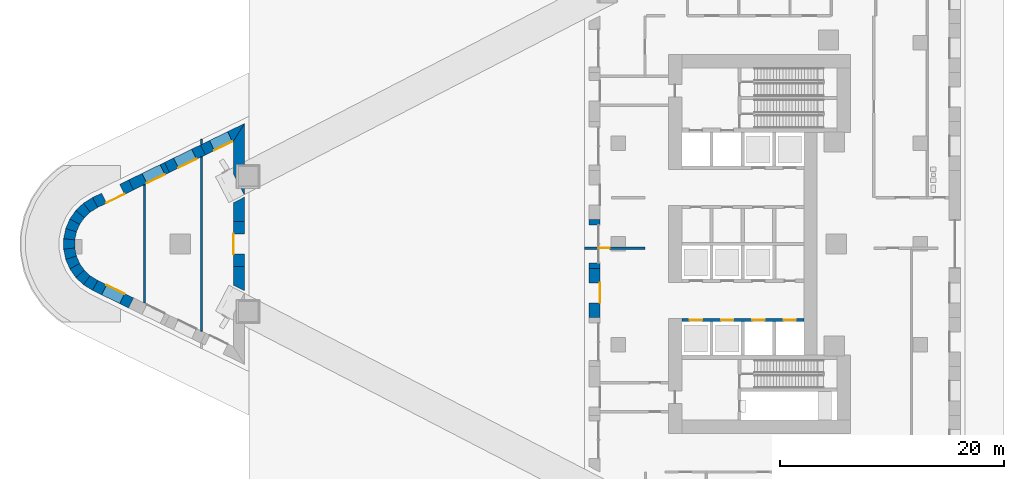
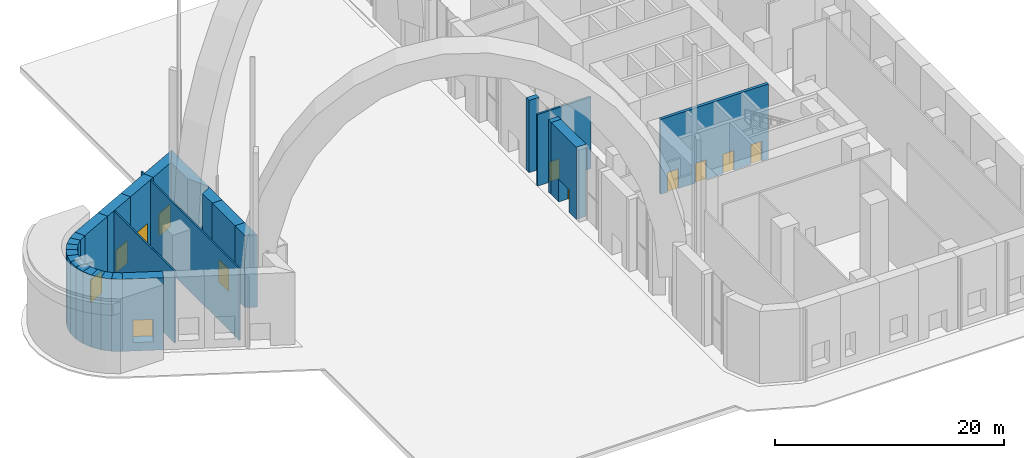
# One storey, part 10 of 22: 28 walls, 8 doors, 4 windows, 12 openings.
"""IFC4 building model written with IfcOpenShell, lengths in metres."""

from ifc_helpers import new_model, si_unit, direction, frame, frame_2d, origin, place, context, subcontext, project, spatial, polyline, rectangle, outline, extrude, material, layer, layer_set, type_object, element, fill, save


model = new_model("IFC4")

# Units and contexts
model_context = context("Model", 3, precision=1e-05, world=origin(), true_north=direction((0.0, 1.0)))
body_context = subcontext(model_context, "Body", "Model", "MODEL_VIEW")
ifc_project = project(units=[si_unit("LENGTHUNIT", "METRE"), si_unit("AREAUNIT", "SQUARE_METRE"), si_unit("VOLUMEUNIT", "CUBIC_METRE"), si_unit("PLANEANGLEUNIT", "RADIAN"), si_unit("MASSUNIT", "GRAM", prefix="KILO")], contexts=[model_context])

# Site, building, storey
site_placement = place(None, origin())
site = spatial("IfcSite", under=ifc_project, at=site_placement, CompositionType="ELEMENT")
building_placement = place(site_placement, origin())
building = spatial("IfcBuilding", under=site, at=building_placement, Name="Ostrand Prow Hotel Tower", CompositionType="ELEMENT")
storey_placement = place(building_placement, origin())
storey = spatial("IfcBuildingStorey", under=building, at=storey_placement, Name="L00", CompositionType="ELEMENT", Elevation=0.0)

# Wall, openings, doors
ifc_material_1 = material(Name="Concrete C80/95", Category="concrete")
ifc_layer_1 = layer(ifc_material_1, 0.300048828125)
ifc_layer_set_1 = layer_set([ifc_layer_1], Name="Concrete C80/95")
wall_type_1 = type_object("IfcWallType", Name="Core wall 300 C80/95", PredefinedType="SHEAR", material=ifc_layer_set_1)
wall_1_placement = place(storey_placement, frame((50.699951171875, -6.800048828125, 0.0), z_axis=(0.0, 0.0, 1.0), x_axis=(1.0, 0.0, 0.0)))
wall_1 = element("IfcWall", 1, at=wall_1_placement, inside=storey, type_object=wall_type_1, Name="Core wall PW-L2-S", PredefinedType="SHEAR", context=body_context, shape_type="SweptSolid", body=[
    extrude(rectangle(XDim=10.900146484375, YDim=0.300048828125, at=frame_2d((5.4501953125, 0.0))), origin(), (0.0, 0.0, 1.0), 8.0),
])
opening_1_placement = place(wall_1_placement, frame((0.699951171875, 0.0, 0.0)))
opening_1 = element("IfcOpeningElement", 2, at=opening_1_placement, cuts=wall_1, Name="Opening LD", PredefinedType="OPENING", context=body_context, shape_type="SweptSolid", body=[
    extrude(rectangle(XDim=1.10009765625, YDim=2.10009765625, at=frame_2d((0.550048828125, 1.050048828125))), frame((0.0, 0.159912109375, 0.0), z_axis=(0.0, -1.0, 0.0), x_axis=(1.0, 0.0, 0.0)), (0.0, 0.0, 1.0), 0.320068359375),
])
opening_2_placement = place(wall_1_placement, frame((3.5, 0.0, 0.0)))
opening_2 = element("IfcOpeningElement", 3, at=opening_2_placement, cuts=wall_1, Name="Opening LD", PredefinedType="OPENING", context=body_context, shape_type="SweptSolid", body=[
    extrude(rectangle(XDim=1.10009765625, YDim=2.10009765625, at=frame_2d((0.550048828125, 1.050048828125))), frame((0.0, 0.159912109375, 0.0), z_axis=(0.0, -1.0, 0.0), x_axis=(1.0, 0.0, 0.0)), (0.0, 0.0, 1.0), 0.320068359375),
])
opening_3_placement = place(wall_1_placement, frame((6.300048828125, 0.0, 0.0)))
opening_3 = element("IfcOpeningElement", 4, at=opening_3_placement, cuts=wall_1, Name="Opening LD", PredefinedType="OPENING", context=body_context, shape_type="SweptSolid", body=[
    extrude(rectangle(XDim=1.10009765625, YDim=2.10009765625, at=frame_2d((0.550048828125, 1.050048828125))), frame((0.0, 0.159912109375, 0.0), z_axis=(0.0, -1.0, 0.0), x_axis=(1.0, 0.0, 0.0)), (0.0, 0.0, 1.0), 0.320068359375),
])
opening_4_placement = place(wall_1_placement, frame((9.10009765625, 0.0, 0.0)))
opening_4 = element("IfcOpeningElement", 5, at=opening_4_placement, cuts=wall_1, Name="Opening LD", PredefinedType="OPENING", context=body_context, shape_type="SweptSolid", body=[
    extrude(rectangle(XDim=1.10009765625, YDim=2.10009765625, at=frame_2d((0.550048828125, 1.050048828125))), frame((0.0, 0.159912109375, 0.0), z_axis=(0.0, -1.0, 0.0), x_axis=(1.0, 0.0, 0.0)), (0.0, 0.0, 1.0), 0.320068359375),
])
ifc_material_2 = material(Name="Stainless steel door", Category="steel")
door_type_1 = type_object("IfcDoorType", Name="Lift landing door 1100", OperationType="DOUBLE_DOOR_SLIDING", PredefinedType="DOOR", material=ifc_material_2)
door_1_placement = place(opening_1_placement, origin())
door_1 = element("IfcDoor", 6, at=door_1_placement, inside=storey, type_object=door_type_1, Name="LIFT LANDING DOOR", OperationType="DOUBLE_DOOR_SLIDING", OverallHeight=2.10009765625, OverallWidth=1.10009765625, PredefinedType="DOOR", context=body_context, shape_type="SweptSolid", body=[
    extrude(rectangle(XDim=1.10009765625, YDim=2.10009765625, at=frame_2d((0.550048828125, 1.050048828125))), frame((0.0, 0.02490234375, 0.0), z_axis=(0.0, -1.0, 0.0), x_axis=(1.0, 0.0, 0.0)), (0.0, 0.0, 1.0), 0.050048828125),
])
fill(opening_1, door_1)
door_2_placement = place(opening_2_placement, origin())
door_2 = element("IfcDoor", 7, at=door_2_placement, inside=storey, type_object=door_type_1, Name="LIFT LANDING DOOR", OperationType="DOUBLE_DOOR_SLIDING", OverallHeight=2.10009765625, OverallWidth=1.10009765625, PredefinedType="DOOR", context=body_context, shape_type="SweptSolid", body=[
    extrude(rectangle(XDim=1.10009765625, YDim=2.10009765625, at=frame_2d((0.550048828125, 1.050048828125))), frame((0.0, 0.02490234375, 0.0), z_axis=(0.0, -1.0, 0.0), x_axis=(1.0, 0.0, 0.0)), (0.0, 0.0, 1.0), 0.050048828125),
])
fill(opening_2, door_2)
door_3_placement = place(opening_3_placement, origin())
door_3 = element("IfcDoor", 8, at=door_3_placement, inside=storey, type_object=door_type_1, Name="LIFT LANDING DOOR", OperationType="DOUBLE_DOOR_SLIDING", OverallHeight=2.10009765625, OverallWidth=1.10009765625, PredefinedType="DOOR", context=body_context, shape_type="SweptSolid", body=[
    extrude(rectangle(XDim=1.10009765625, YDim=2.10009765625, at=frame_2d((0.550048828125, 1.050048828125))), frame((0.0, 0.02490234375, 0.0), z_axis=(0.0, -1.0, 0.0), x_axis=(1.0, 0.0, 0.0)), (0.0, 0.0, 1.0), 0.050048828125),
])
fill(opening_3, door_3)
door_4_placement = place(opening_4_placement, origin())
door_4 = element("IfcDoor", 9, at=door_4_placement, inside=storey, type_object=door_type_1, Name="LIFT LANDING DOOR", OperationType="DOUBLE_DOOR_SLIDING", OverallHeight=2.10009765625, OverallWidth=1.10009765625, PredefinedType="DOOR", context=body_context, shape_type="SweptSolid", body=[
    extrude(rectangle(XDim=1.10009765625, YDim=2.10009765625, at=frame_2d((0.550048828125, 1.050048828125))), frame((0.0, 0.02490234375, 0.0), z_axis=(0.0, -1.0, 0.0), x_axis=(1.0, 0.0, 0.0)), (0.0, 0.0, 1.0), 0.050048828125),
])
fill(opening_4, door_4)

# Walls
ifc_material_3 = material(Name="Plasterboard partition")
ifc_layer_2 = layer(ifc_material_3, 0.14990234375)
ifc_layer_set_2 = layer_set([ifc_layer_2], Name="Plasterboard partition")
wall_type_2 = type_object("IfcWallType", Name="Partition 150 room partition", PredefinedType="PARTITIONING", material=ifc_layer_set_2)
wall_2_placement = place(storey_placement, frame((2.664306640625, -5.273681640625, 0.0), z_axis=(0.0, 0.0, 1.0), x_axis=(0.0, 1.0, 0.0)))
element("IfcWall", 10, at=wall_2_placement, inside=storey, type_object=wall_type_2, Name="ROOM PARTITION", PredefinedType="PARTITIONING", context=body_context, shape_type="SweptSolid", body=[
    extrude(rectangle(XDim=10.54736328125, YDim=0.14990234375, at=frame_2d((5.273681640625, 0.0))), origin(), (0.0, 0.0, 1.0), 7.64990234375),
])
wall_3_placement = place(storey_placement, frame((7.75634765625, -7.7861328125, 0.0), z_axis=(0.0, 0.0, 1.0), x_axis=(0.0, 1.0, 0.0)))
element("IfcWall", 11, at=wall_3_placement, inside=storey, type_object=wall_type_2, Name="ROOM PARTITION", PredefinedType="PARTITIONING", context=body_context, shape_type="SweptSolid", body=[
    extrude(rectangle(XDim=15.572265625, YDim=0.14990234375, at=frame_2d((7.7861328125, 0.0))), origin(), (0.0, 0.0, 1.0), 7.64990234375),
])
wall_4_placement = place(storey_placement, frame((7.75634765625, 8.898681640625, 0.0), z_axis=(0.0, 0.0, 1.0), x_axis=(0.0, 1.0, 0.0)))
element("IfcWall", 12, at=wall_4_placement, inside=storey, type_object=wall_type_2, Name="ROOM PARTITION", PredefinedType="PARTITIONING", context=body_context, shape_type="SweptSolid", body=[
    extrude(rectangle(XDim=0.445068359375, YDim=0.14990234375, at=frame_2d((0.22265625, 0.0))), origin(), (0.0, 0.0, 1.0), 7.64990234375),
])

# Wall, opening, door
ifc_material_4 = material(Name="Plasterboard partition")
ifc_layer_3 = layer(ifc_material_4, 0.199951171875)
ifc_layer_set_3 = layer_set([ifc_layer_3], Name="Plasterboard partition")
wall_type_3 = type_object("IfcWallType", Name="Partition 200 corridor wall", PredefinedType="PARTITIONING", material=ifc_layer_set_3)
wall_5_placement = place(storey_placement, frame((42.0, -0.376220703125, 0.0), z_axis=(0.0, 0.0, 1.0), x_axis=(1.0, 0.0, 0.0)))
wall_5 = element("IfcWall", 13, at=wall_5_placement, inside=storey, type_object=wall_type_3, Name="CORRIDOR WALL", PredefinedType="PARTITIONING", context=body_context, shape_type="SweptSolid", body=[
    extrude(rectangle(XDim=5.40087890625, YDim=0.199951171875, at=frame_2d((2.700439453125, 0.0))), origin(), (0.0, 0.0, 1.0), 7.64990234375),
])
opening_5_placement = place(wall_5_placement, frame((1.25, 0.0, 0.0)))
opening_5 = element("IfcOpeningElement", 14, at=opening_5_placement, cuts=wall_5, Name="Opening D1", PredefinedType="OPENING", context=body_context, shape_type="SweptSolid", body=[
    extrude(rectangle(XDim=1.0, YDim=2.10009765625, at=frame_2d((0.5, 1.050048828125))), frame((0.0, 0.10986328125, 0.0), z_axis=(0.0, -1.0, 0.0), x_axis=(1.0, 0.0, 0.0)), (0.0, 0.0, 1.0), 0.219970703125),
])
ifc_material_5 = material(Name="Timber door leaf", Category="wood")
door_type_2 = type_object("IfcDoorType", Name="Guest room door 1000", OperationType="SINGLE_SWING_LEFT", PredefinedType="DOOR", material=ifc_material_5)
door_5_placement = place(opening_5_placement, origin())
door_5 = element("IfcDoor", 15, at=door_5_placement, inside=storey, type_object=door_type_2, Name="DOOR", OperationType="SINGLE_SWING_LEFT", OverallHeight=2.10009765625, OverallWidth=1.0, PredefinedType="DOOR", context=body_context, shape_type="SweptSolid", body=[
    extrude(rectangle(XDim=1.0, YDim=2.10009765625, at=frame_2d((0.5, 1.050048828125))), frame((0.0, 0.02490234375, 0.0), z_axis=(0.0, -1.0, 0.0), x_axis=(1.0, 0.0, 0.0)), (0.0, 0.0, 1.0), 0.050048828125),
])
fill(opening_5, door_5)

# Wall
ifc_material_6 = material(Name="Precast concrete C40/50", Category="concrete")
ifc_layer_4 = layer(ifc_material_6, 1.0)
ifc_layer_set_4 = layer_set([ifc_layer_4], Name="Precast concrete C40/50")
wall_type_4 = type_object("IfcWallType", Name="Portal pier wall 1000 mm", PredefinedType="NOTDEFINED", material=ifc_layer_set_4)
wall_6_placement = place(storey_placement, frame((11.10009765625, -3.933837890625, 0.0), z_axis=(0.0, 0.0, 1.0), x_axis=(0.0, 1.0, 0.0)))
element("IfcWall", 16, at=wall_6_placement, inside=storey, type_object=wall_type_4, Name="Portal pier wall L00-PP001b", PredefinedType="NOTDEFINED", context=body_context, shape_type="SweptSolid", body=[
    extrude(outline(polyline([(-0.25830078125, -0.5), (1.939453125, -0.5), (1.939453125, 0.5), (0.25830078125, 0.5), (-0.25830078125, -0.5)])), origin(), (0.0, 0.0, 1.0), 7.699951171875),
])

# Wall, opening, door
wall_7_placement = place(storey_placement, frame((11.10009765625, -1.994384765625, 0.0), z_axis=(0.0, 0.0, 1.0), x_axis=(0.0, 1.0, 0.0)))
wall_7 = element("IfcWall", 17, at=wall_7_placement, inside=storey, type_object=wall_type_4, Name="Portal pier wall L00-PP002", PredefinedType="NOTDEFINED", context=body_context, shape_type="SweptSolid", body=[
    extrude(outline(polyline([(0.0, -0.5), (3.98876953125, -0.5), (3.98876953125, 0.5), (0.0, 0.5), (0.0, -0.5)])), origin(), (0.0, 0.0, 1.0), 7.699951171875),
])
opening_6_placement = place(wall_7_placement, frame((1.094482421875, 0.0, 0.0)))
opening_6 = element("IfcOpeningElement", 18, at=opening_6_placement, cuts=wall_7, Name="Opening E01", PredefinedType="OPENING", context=body_context, shape_type="SweptSolid", body=[
    extrude(rectangle(XDim=1.800048828125, YDim=2.39990234375, at=frame_2d((0.89990234375, 1.199951171875))), frame((0.0, 0.510009765625, 0.0), z_axis=(0.0, -1.0, 0.0), x_axis=(1.0, 0.0, 0.0)), (0.0, 0.0, 1.0), 1.02001953125),
])
ifc_material_7 = material(Name="Bronze anodised aluminium and glass", Category="aluminium")
door_type_3 = type_object("IfcDoorType", Name="Entrance double door 1800x2400", OperationType="DOUBLE_DOOR_SINGLE_SWING", PredefinedType="DOOR", material=ifc_material_7)
door_6_placement = place(opening_6_placement, origin())
door_6 = element("IfcDoor", 19, at=door_6_placement, inside=storey, type_object=door_type_3, Name="Entrance door E01 DE1", OperationType="DOUBLE_DOOR_SINGLE_SWING", OverallHeight=2.39990234375, OverallWidth=1.800048828125, PredefinedType="DOOR", context=body_context, shape_type="SweptSolid", body=[
    extrude(rectangle(XDim=1.800048828125, YDim=2.39990234375, at=frame_2d((0.89990234375, 1.199951171875))), frame((0.0, 0.4951171875, 0.0), z_axis=(0.0, -1.0, 0.0), x_axis=(1.0, 0.0, 0.0)), (0.0, 0.0, 1.0), 0.050048828125),
])
fill(opening_6, door_6)

# Walls
wall_8_placement = place(storey_placement, frame((11.10009765625, 1.994384765625, 0.0), z_axis=(0.0, 0.0, 1.0), x_axis=(0.0, 1.0, 0.0)))
element("IfcWall", 20, at=wall_8_placement, inside=storey, type_object=wall_type_4, Name="Portal pier wall L00-PP003", PredefinedType="NOTDEFINED", context=body_context, shape_type="SweptSolid", body=[
    extrude(outline(polyline([(0.0, -0.5), (2.19775390625, -0.5), (1.68115234375, 0.5), (0.0, 0.5), (0.0, -0.5)])), origin(), (0.0, 0.0, 1.0), 7.699951171875),
])
wall_9_placement = place(storey_placement, frame((11.10009765625, 5.319091796875, 0.0), z_axis=(0.0, 0.0, 1.0), x_axis=(0.0, 1.0, 0.0)))
element("IfcWall", 21, at=wall_9_placement, inside=storey, type_object=wall_type_4, Name="Portal pier wall L00-PP004", PredefinedType="NOTDEFINED", context=body_context, shape_type="SweptSolid", body=[
    extrude(outline(polyline([(-0.9677734375, -0.5), (5.453369140625, -0.5), (3.853271484375, 0.5), (0.9677734375, 0.5), (-0.9677734375, -0.5)])), origin(), (0.0, 0.0, 1.0), 7.699951171875),
])

# Wall, opening, window
wall_10_placement = place(storey_placement, frame((11.10009765625, 9.972412109375, 0.0), z_axis=(0.0, 0.0, 1.0), x_axis=(-0.89890161674, -0.438150525987, 0.0)))
wall_10 = element("IfcWall", 22, at=wall_10_placement, inside=storey, type_object=wall_type_4, Name="Portal pier wall L00-PP005", PredefinedType="NOTDEFINED", context=body_context, shape_type="SweptSolid", body=[
    extrude(outline(polyline([(-0.800048828125, -0.5), (3.57568359375, -0.5), (3.57568359375, 0.5), (0.800048828125, 0.5), (-0.800048828125, -0.5)])), origin(), (0.0, 0.0, 1.0), 7.699951171875),
])
opening_7_placement = place(wall_10_placement, frame((0.8876953125, 0.0, 0.89990234375)))
opening_7 = element("IfcOpeningElement", 23, at=opening_7_placement, cuts=wall_10, Name="Opening WP2", PredefinedType="OPENING", context=body_context, shape_type="SweptSolid", body=[
    extrude(rectangle(XDim=1.800048828125, YDim=2.39990234375, at=frame_2d((0.89990234375, 1.199951171875))), frame((0.0, 0.510009765625, 0.0), z_axis=(0.0, -1.0, 0.0), x_axis=(1.0, 0.0, 0.0)), (0.0, 0.0, 1.0), 1.02001953125),
])
ifc_material_8 = material(Name="Insulated glass in bronze anodised frame", Category="glass")
window_type = type_object("IfcWindowType", Name="Portal window 1800x2400", PartitioningType="SINGLE_PANEL", PredefinedType="WINDOW", material=ifc_material_8)
window_1_placement = place(opening_7_placement, origin())
window_1 = element("IfcWindow", 24, at=window_1_placement, inside=storey, type_object=window_type, Name="Portal window L00-PP005", OverallHeight=2.39990234375, OverallWidth=1.800048828125, PartitioningType="SINGLE_PANEL", PredefinedType="WINDOW", context=body_context, shape_type="SweptSolid", body=[
    extrude(rectangle(XDim=1.800048828125, YDim=2.39990234375, at=frame_2d((0.89990234375, 1.199951171875))), frame((0.0, 0.5, 0.0), z_axis=(0.0, -1.0, 0.0), x_axis=(1.0, 0.0, 0.0)), (0.0, 0.0, 1.0), 0.06005859375),
])
fill(opening_7, window_1)

wall_11_placement = place(storey_placement, frame((7.885986328125, 8.40576171875, 0.0), z_axis=(0.0, 0.0, 1.0), x_axis=(-0.898888507486, -0.43817741967, 0.0)))
wall_11 = element("IfcWall", 25, at=wall_11_placement, inside=storey, type_object=wall_type_4, Name="Portal pier wall L00-PP006", PredefinedType="NOTDEFINED", context=body_context, shape_type="SweptSolid", body=[
    extrude(outline(polyline([(0.0, -0.5), (3.575439453125, -0.5), (3.575439453125, 0.5), (0.0, 0.5), (0.0, -0.5)])), origin(), (0.0, 0.0, 1.0), 7.699951171875),
])
opening_8_placement = place(wall_11_placement, frame((0.8876953125, 0.0, 0.89990234375)))
opening_8 = element("IfcOpeningElement", 26, at=opening_8_placement, cuts=wall_11, Name="Opening WP2", PredefinedType="OPENING", context=body_context, shape_type="SweptSolid", body=[
    extrude(rectangle(XDim=1.800048828125, YDim=2.39990234375, at=frame_2d((0.89990234375, 1.199951171875))), frame((0.0, 0.510009765625, 0.0), z_axis=(0.0, -1.0, 0.0), x_axis=(1.0, 0.0, 0.0)), (0.0, 0.0, 1.0), 1.02001953125),
])
window_2_placement = place(opening_8_placement, origin())
window_2 = element("IfcWindow", 27, at=window_2_placement, inside=storey, type_object=window_type, Name="Portal window L00-PP006", OverallHeight=2.39990234375, OverallWidth=1.800048828125, PartitioningType="SINGLE_PANEL", PredefinedType="WINDOW", context=body_context, shape_type="SweptSolid", body=[
    extrude(rectangle(XDim=1.800048828125, YDim=2.39990234375, at=frame_2d((0.89990234375, 1.199951171875))), frame((0.0, 0.5, 0.0), z_axis=(0.0, -1.0, 0.0), x_axis=(1.0, 0.0, 0.0)), (0.0, 0.0, 1.0), 0.06005859375),
])
fill(opening_8, window_2)

wall_12_placement = place(storey_placement, frame((4.672119140625, 6.839111328125, 0.0), z_axis=(0.0, 0.0, 1.0), x_axis=(-0.898848496883, -0.438259488946, 0.0)))
wall_12 = element("IfcWall", 28, at=wall_12_placement, inside=storey, type_object=wall_type_4, Name="Portal pier wall L00-PP007", PredefinedType="NOTDEFINED", context=body_context, shape_type="SweptSolid", body=[
    extrude(outline(polyline([(0.0, -0.5), (3.5751953125, -0.5), (3.5751953125, 0.5), (0.0, 0.5), (0.0, -0.5)])), origin(), (0.0, 0.0, 1.0), 7.699951171875),
])
opening_9_placement = place(wall_12_placement, frame((0.44775390625, 0.0, 0.89990234375)))
opening_9 = element("IfcOpeningElement", 29, at=opening_9_placement, cuts=wall_12, Name="Opening WP2", PredefinedType="OPENING", context=body_context, shape_type="SweptSolid", body=[
    extrude(rectangle(XDim=1.800048828125, YDim=2.39990234375, at=frame_2d((0.89990234375, 1.199951171875))), frame((0.0, 0.510009765625, 0.0), z_axis=(0.0, -1.0, 0.0), x_axis=(1.0, 0.0, 0.0)), (0.0, 0.0, 1.0), 1.02001953125),
])
window_3_placement = place(opening_9_placement, origin())
window_3 = element("IfcWindow", 30, at=window_3_placement, inside=storey, type_object=window_type, Name="Portal window L00-PP007", OverallHeight=2.39990234375, OverallWidth=1.800048828125, PartitioningType="SINGLE_PANEL", PredefinedType="WINDOW", context=body_context, shape_type="SweptSolid", body=[
    extrude(rectangle(XDim=1.800048828125, YDim=2.39990234375, at=frame_2d((0.89990234375, 1.199951171875))), frame((0.0, 0.5, 0.0), z_axis=(0.0, -1.0, 0.0), x_axis=(1.0, 0.0, 0.0)), (0.0, 0.0, 1.0), 0.06005859375),
])
fill(opening_9, window_3)

# Wall, opening, door
wall_13_placement = place(storey_placement, frame((1.45849609375, 5.272216796875, 0.0), z_axis=(0.0, 0.0, 1.0), x_axis=(-0.898874723623, -0.438205695117, 0.0)))
wall_13 = element("IfcWall", 31, at=wall_13_placement, inside=storey, type_object=wall_type_4, Name="Portal pier wall L00-PP008", PredefinedType="NOTDEFINED", context=body_context, shape_type="SweptSolid", body=[
    extrude(outline(polyline([(0.0, -0.5), (3.60107421875, -0.5), (3.55029296875, 0.5), (0.0, 0.5), (0.0, -0.5)])), origin(), (0.0, 0.0, 1.0), 7.699951171875),
])
opening_10_placement = place(wall_13_placement, frame((0.8876953125, 0.0, 0.0)))
opening_10 = element("IfcOpeningElement", 32, at=opening_10_placement, cuts=wall_13, Name="Opening E02", PredefinedType="OPENING", context=body_context, shape_type="SweptSolid", body=[
    extrude(rectangle(XDim=1.800048828125, YDim=2.39990234375, at=frame_2d((0.89990234375, 1.199951171875))), frame((0.0, 0.510009765625, 0.0), z_axis=(0.0, -1.0, 0.0), x_axis=(1.0, 0.0, 0.0)), (0.0, 0.0, 1.0), 1.02001953125),
])
door_7_placement = place(opening_10_placement, origin())
door_7 = element("IfcDoor", 33, at=door_7_placement, inside=storey, type_object=door_type_3, Name="Entrance door E02 DE1", OperationType="DOUBLE_DOOR_SINGLE_SWING", OverallHeight=2.39990234375, OverallWidth=1.800048828125, PredefinedType="DOOR", context=body_context, shape_type="SweptSolid", body=[
    extrude(rectangle(XDim=1.800048828125, YDim=2.39990234375, at=frame_2d((0.89990234375, 1.199951171875))), frame((0.0, 0.4951171875, 0.0), z_axis=(0.0, -1.0, 0.0), x_axis=(1.0, 0.0, 0.0)), (0.0, 0.0, 1.0), 0.050048828125),
])
fill(opening_10, door_7)

# Walls
wall_14_placement = place(storey_placement, frame((-1.755615234375, 3.705322265625, 0.0), z_axis=(0.0, 0.0, 1.0), x_axis=(-0.849777890555, -0.527140907846, 0.0)))
element("IfcWall", 34, at=wall_14_placement, inside=storey, type_object=wall_type_4, Name="Portal pier wall L00-PP009", PredefinedType="NOTDEFINED", context=body_context, shape_type="SweptSolid", body=[
    extrude(outline(polyline([(-0.025390625, -0.5), (0.92724609375, -0.5), (0.8251953125, 0.5), (0.025390625, 0.5), (-0.025390625, -0.5)])), origin(), (0.0, 0.0, 1.0), 7.699951171875),
])
wall_15_placement = place(storey_placement, frame((-2.500244140625, 3.243408203125, 0.0), z_axis=(0.0, 0.0, 1.0), x_axis=(-0.726099436492, -0.687589709293, 0.0)))
element("IfcWall", 35, at=wall_15_placement, inside=storey, type_object=wall_type_4, Name="Portal pier wall L00-PP010", PredefinedType="NOTDEFINED", context=body_context, shape_type="SweptSolid", body=[
    extrude(outline(polyline([(-0.051025390625, -0.5), (0.881591796875, -0.5), (0.779541015625, 0.5), (0.051025390625, 0.5), (-0.051025390625, -0.5)])), origin(), (0.0, 0.0, 1.0), 7.699951171875),
])
wall_16_placement = place(storey_placement, frame((-3.103271484375, 2.67236328125, 0.0), z_axis=(0.0, 0.0, 1.0), x_axis=(-0.572416108775, -0.819963290895, 0.0)))
element("IfcWall", 36, at=wall_16_placement, inside=storey, type_object=wall_type_4, Name="Portal pier wall L00-PP011", PredefinedType="NOTDEFINED", context=body_context, shape_type="SweptSolid", body=[
    extrude(outline(polyline([(-0.051025390625, -0.5), (0.88134765625, -0.5), (0.779296875, 0.5), (0.051025390625, 0.5), (-0.051025390625, -0.5)])), origin(), (0.0, 0.0, 1.0), 7.699951171875),
])
wall_17_placement = place(storey_placement, frame((-3.57861328125, 1.991455078125, 0.0), z_axis=(0.0, 0.0, 1.0), x_axis=(-0.395089773053, -0.91864251547, 0.0)))
element("IfcWall", 37, at=wall_17_placement, inside=storey, type_object=wall_type_4, Name="Portal pier wall L00-PP012", PredefinedType="NOTDEFINED", context=body_context, shape_type="SweptSolid", body=[
    extrude(outline(polyline([(-0.051025390625, -0.5), (0.881591796875, -0.5), (0.779541015625, 0.5), (0.051025390625, 0.5), (-0.051025390625, -0.5)])), origin(), (0.0, 0.0, 1.0), 7.699951171875),
])
wall_18_placement = place(storey_placement, frame((-3.90673828125, 1.228515625, 0.0), z_axis=(0.0, 0.0, 1.0), x_axis=(-0.201710996138, -0.979445084748, 0.0)))
element("IfcWall", 38, at=wall_18_placement, inside=storey, type_object=wall_type_4, Name="Portal pier wall L00-PP013", PredefinedType="NOTDEFINED", context=body_context, shape_type="SweptSolid", body=[
    extrude(outline(polyline([(-0.051025390625, -0.5), (0.88134765625, -0.5), (0.779296875, 0.5), (0.051025390625, 0.5), (-0.051025390625, -0.5)])), origin(), (0.0, 0.0, 1.0), 7.699951171875),
])
wall_19_placement = place(storey_placement, frame((-4.07421875, 0.415283203125, 0.0), z_axis=(0.0, 0.0, 1.0), x_axis=(0.0, -1.0, 0.0)))
element("IfcWall", 39, at=wall_19_placement, inside=storey, type_object=wall_type_4, Name="Portal pier wall L00-PP014", PredefinedType="NOTDEFINED", context=body_context, shape_type="SweptSolid", body=[
    extrude(outline(polyline([(-0.051025390625, -0.5), (0.881591796875, -0.5), (0.779541015625, 0.5), (0.051025390625, 0.5), (-0.051025390625, -0.5)])), origin(), (0.0, 0.0, 1.0), 7.699951171875),
])
wall_20_placement = place(storey_placement, frame((-4.07421875, -0.415283203125, 0.0), z_axis=(0.0, 0.0, 1.0), x_axis=(0.201710996138, -0.979445084748, 0.0)))
element("IfcWall", 40, at=wall_20_placement, inside=storey, type_object=wall_type_4, Name="Portal pier wall L00-PP015", PredefinedType="NOTDEFINED", context=body_context, shape_type="SweptSolid", body=[
    extrude(outline(polyline([(-0.051025390625, -0.5), (0.88134765625, -0.5), (0.779296875, 0.5), (0.051025390625, 0.5), (-0.051025390625, -0.5)])), origin(), (0.0, 0.0, 1.0), 7.699951171875),
])
wall_21_placement = place(storey_placement, frame((-3.90673828125, -1.228515625, 0.0), z_axis=(0.0, 0.0, 1.0), x_axis=(0.395089773053, -0.91864251547, 0.0)))
element("IfcWall", 41, at=wall_21_placement, inside=storey, type_object=wall_type_4, Name="Portal pier wall L00-PP016", PredefinedType="NOTDEFINED", context=body_context, shape_type="SweptSolid", body=[
    extrude(outline(polyline([(-0.051025390625, -0.5), (0.881591796875, -0.5), (0.779541015625, 0.5), (0.051025390625, 0.5), (-0.051025390625, -0.5)])), origin(), (0.0, 0.0, 1.0), 7.699951171875),
])
wall_22_placement = place(storey_placement, frame((-3.57861328125, -1.991455078125, 0.0), z_axis=(0.0, 0.0, 1.0), x_axis=(0.572416108775, -0.819963290895, 0.0)))
element("IfcWall", 42, at=wall_22_placement, inside=storey, type_object=wall_type_4, Name="Portal pier wall L00-PP017", PredefinedType="NOTDEFINED", context=body_context, shape_type="SweptSolid", body=[
    extrude(outline(polyline([(-0.051025390625, -0.5), (0.88134765625, -0.5), (0.779296875, 0.5), (0.051025390625, 0.5), (-0.051025390625, -0.5)])), origin(), (0.0, 0.0, 1.0), 7.699951171875),
])
wall_23_placement = place(storey_placement, frame((-3.103271484375, -2.67236328125, 0.0), z_axis=(0.0, 0.0, 1.0), x_axis=(0.726099436492, -0.687589709293, 0.0)))
element("IfcWall", 43, at=wall_23_placement, inside=storey, type_object=wall_type_4, Name="Portal pier wall L00-PP018", PredefinedType="NOTDEFINED", context=body_context, shape_type="SweptSolid", body=[
    extrude(outline(polyline([(-0.051025390625, -0.5), (0.881591796875, -0.5), (0.779541015625, 0.5), (0.051025390625, 0.5), (-0.051025390625, -0.5)])), origin(), (0.0, 0.0, 1.0), 7.699951171875),
])
wall_24_placement = place(storey_placement, frame((-2.500244140625, -3.243408203125, 0.0), z_axis=(0.0, 0.0, 1.0), x_axis=(0.849777890555, -0.527140907846, 0.0)))
element("IfcWall", 44, at=wall_24_placement, inside=storey, type_object=wall_type_4, Name="Portal pier wall L00-PP019", PredefinedType="NOTDEFINED", context=body_context, shape_type="SweptSolid", body=[
    extrude(outline(polyline([(-0.051025390625, -0.5), (0.901611328125, -0.5), (0.850830078125, 0.5), (0.051025390625, 0.5), (-0.051025390625, -0.5)])), origin(), (0.0, 0.0, 1.0), 7.699951171875),
])

# Wall, opening, window
wall_25_placement = place(storey_placement, frame((-1.755615234375, -3.705322265625, 0.0), z_axis=(0.0, 0.0, 1.0), x_axis=(0.898874723623, -0.438205695117, 0.0)))
wall_25 = element("IfcWall", 45, at=wall_25_placement, inside=storey, type_object=wall_type_4, Name="Portal pier wall L00-PP020", PredefinedType="NOTDEFINED", context=body_context, shape_type="SweptSolid", body=[
    extrude(outline(polyline([(-0.025390625, -0.5), (3.57568359375, -0.5), (3.57568359375, 0.5), (0.025390625, 0.5), (-0.025390625, -0.5)])), origin(), (0.0, 0.0, 1.0), 7.699951171875),
])
opening_11_placement = place(wall_25_placement, frame((0.8876953125, 0.0, 0.89990234375)))
opening_11 = element("IfcOpeningElement", 46, at=opening_11_placement, cuts=wall_25, Name="Opening WP2", PredefinedType="OPENING", context=body_context, shape_type="SweptSolid", body=[
    extrude(rectangle(XDim=1.800048828125, YDim=2.39990234375, at=frame_2d((0.89990234375, 1.199951171875))), frame((0.0, 0.510009765625, 0.0), z_axis=(0.0, -1.0, 0.0), x_axis=(1.0, 0.0, 0.0)), (0.0, 0.0, 1.0), 1.02001953125),
])
window_4_placement = place(opening_11_placement, origin())
window_4 = element("IfcWindow", 47, at=window_4_placement, inside=storey, type_object=window_type, Name="Portal window L00-PP020", OverallHeight=2.39990234375, OverallWidth=1.800048828125, PartitioningType="SINGLE_PANEL", PredefinedType="WINDOW", context=body_context, shape_type="SweptSolid", body=[
    extrude(rectangle(XDim=1.800048828125, YDim=2.39990234375, at=frame_2d((0.89990234375, 1.199951171875))), frame((0.0, 0.5, 0.0), z_axis=(0.0, -1.0, 0.0), x_axis=(1.0, 0.0, 0.0)), (0.0, 0.0, 1.0), 0.06005859375),
])
fill(opening_11, window_4)

# Walls
for number, where, z_axis, x_axis, name in (
    (48, (42.89990234375, 2.18798828125, 0.0), (0.0, 0.0, 1.0), (0.0, -1.0, 0.0), "Portal pier wall L00-PP140"),
    (49, (42.89990234375, -1.68798828125, 0.0), (0.0, 0.0, 1.0), (0.0, -1.0, 0.0), "Portal pier wall L00-PP140E"),
):
    element("IfcWall", number, at=place(storey_placement, frame(where, z_axis=z_axis, x_axis=x_axis)), inside=storey, type_object=wall_type_4, Name=name, PredefinedType="NOTDEFINED", context=body_context, shape_type="SweptSolid", body=[
        extrude(outline(polyline([(0.0, -0.5), (0.5, -0.5), (0.5, 0.5), (0.0, 0.5), (0.0, -0.5)])), origin(), (0.0, 0.0, 1.0), 7.699951171875),
    ])

# Wall, opening, door
wall_26_placement = place(storey_placement, frame((42.89990234375, -2.18798828125, 0.0), z_axis=(0.0, 0.0, 1.0), x_axis=(0.0, -1.0, 0.0)))
wall_26 = element("IfcWall", 50, at=wall_26_placement, inside=storey, type_object=wall_type_4, Name="Portal pier wall L00-PP141", PredefinedType="NOTDEFINED", context=body_context, shape_type="SweptSolid", body=[
    extrude(outline(polyline([(0.0, -0.5), (4.376220703125, -0.5), (4.376220703125, 0.5), (0.0, 0.5), (0.0, -0.5)])), origin(), (0.0, 0.0, 1.0), 7.699951171875),
])
opening_12_placement = place(wall_26_placement, frame((1.2880859375, 0.0, 0.0)))
opening_12 = element("IfcOpeningElement", 51, at=opening_12_placement, cuts=wall_26, Name="Opening E13", PredefinedType="OPENING", context=body_context, shape_type="SweptSolid", body=[
    extrude(rectangle(XDim=1.800048828125, YDim=2.39990234375, at=frame_2d((0.89990234375, 1.199951171875))), frame((0.0, 0.510009765625, 0.0), z_axis=(0.0, -1.0, 0.0), x_axis=(1.0, 0.0, 0.0)), (0.0, 0.0, 1.0), 1.02001953125),
])
door_8_placement = place(opening_12_placement, origin())
door_8 = element("IfcDoor", 52, at=door_8_placement, inside=storey, type_object=door_type_3, Name="Entrance door E13 DE1", OperationType="DOUBLE_DOOR_SINGLE_SWING", OverallHeight=2.39990234375, OverallWidth=1.800048828125, PredefinedType="DOOR", context=body_context, shape_type="SweptSolid", body=[
    extrude(rectangle(XDim=1.800048828125, YDim=2.39990234375, at=frame_2d((0.89990234375, 1.199951171875))), frame((0.0, 0.4951171875, 0.0), z_axis=(0.0, -1.0, 0.0), x_axis=(1.0, 0.0, 0.0)), (0.0, 0.0, 1.0), 0.050048828125),
])
fill(opening_12, door_8)

save(model, "model.ifc")
